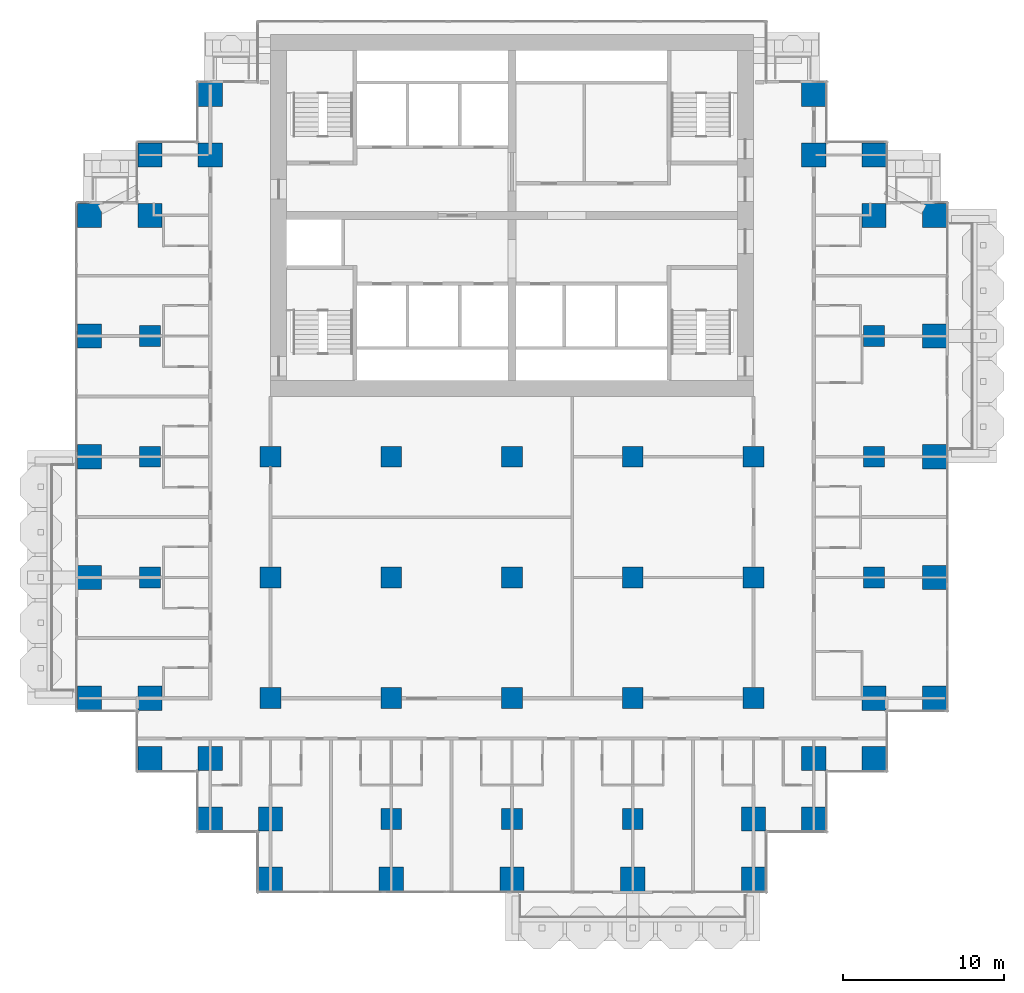
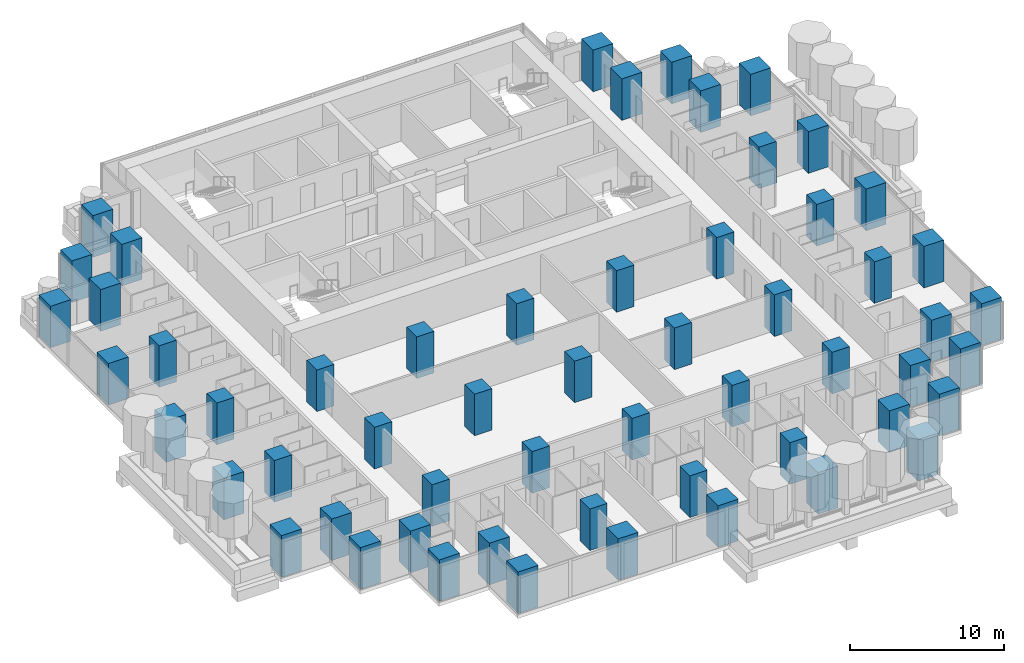
# One storey, part 1 of 20: 57 columns.
"""IFC4 building model written with IfcOpenShell, lengths in metres."""

from ifc_helpers import new_model, si_unit, direction, frame, origin, origin_2d, place, context, subcontext, project, spatial, rectangle, extrude, material, material_profile, profile_set, type_object, element, save


model = new_model("IFC4")

# Units and contexts
model_context = context("Model", 3, precision=1e-05, world=origin(), true_north=direction((0.0, 1.0)))
body_context = subcontext(model_context, "Body", "Model", "MODEL_VIEW")
ifc_project = project(units=[si_unit("LENGTHUNIT", "METRE"), si_unit("AREAUNIT", "SQUARE_METRE"), si_unit("VOLUMEUNIT", "CUBIC_METRE"), si_unit("PLANEANGLEUNIT", "RADIAN"), si_unit("MASSUNIT", "GRAM", prefix="KILO")], contexts=[model_context])

# Site, building, storey
site_placement = place(None, origin())
site = spatial("IfcSite", under=ifc_project, at=site_placement, CompositionType="ELEMENT")
building_placement = place(site_placement, origin())
building = spatial("IfcBuilding", under=site, at=building_placement, Name="Pilkhan Gate Tower", CompositionType="ELEMENT")
storey_placement = place(building_placement, frame((0.0, 0.0, 85.699951171875)))
storey = spatial("IfcBuildingStorey", under=building, at=storey_placement, Name="L20", CompositionType="ELEMENT", Elevation=85.699951171875)

# Columns
ifc_material = material(Name="Concrete C70/85", Category="concrete")
ifc_material_profile_1 = material_profile(ifc_material, rectangle(XDim=1.300048828125, YDim=1.300048828125, at=origin_2d()), Name="RC 1300x1300")
ifc_profile_set_1 = profile_set([ifc_material_profile_1], Name="Concrete C70/85")
column_type_1 = type_object("IfcColumnType", Name="Column C130 RC 1300x1300 C70/85", PredefinedType="COLUMN", material=ifc_profile_set_1)
for number, where, z_axis, x_axis, name in (
    (1, (52.5, 60.0, 0.0), (0.0, 0.0, 1.0), (1.0, 0.0, 0.0), "Column 5/F L20"),
    (2, (52.5, 67.5, 0.0), (0.0, 0.0, 1.0), (1.0, 0.0, 0.0), "Column 5/H L20"),
    (3, (52.5, 75.0, 0.0), (0.0, 0.0, 1.0), (1.0, 0.0, 0.0), "Column 5/K L20"),
    (4, (60.0, 52.5, 0.0), (0.0, 0.0, 1.0), (1.0, 0.0, 0.0), "Column 7/D L20"),
    (5, (60.0, 60.0, 0.0), (0.0, 0.0, 1.0), (1.0, 0.0, 0.0), "Column 7/F L20"),
    (6, (60.0, 67.5, 0.0), (0.0, 0.0, 1.0), (1.0, 0.0, 0.0), "Column 7/H L20"),
    (7, (67.5, 45.0, 0.0), (0.0, 0.0, 1.0), (1.0, 0.0, 0.0), "Column 9/B L20"),
    (8, (67.5, 52.5, 0.0), (0.0, 0.0, 1.0), (1.0, 0.0, 0.0), "Column 9/D L20"),
    (9, (67.5, 60.0, 0.0), (0.0, 0.0, 1.0), (1.0, 0.0, 0.0), "Column 9/F L20"),
    (10, (67.5, 67.5, 0.0), (0.0, 0.0, 1.0), (1.0, 0.0, 0.0), "Column 9/H L20"),
    (11, (75.0, 45.0, 0.0), (0.0, 0.0, 1.0), (1.0, 0.0, 0.0), "Column 11/B L20"),
    (12, (75.0, 52.5, 0.0), (0.0, 0.0, 1.0), (1.0, 0.0, 0.0), "Column 11/D L20"),
    (13, (75.0, 60.0, 0.0), (0.0, 0.0, 1.0), (1.0, 0.0, 0.0), "Column 11/F L20"),
    (14, (75.0, 67.5, 0.0), (0.0, 0.0, 1.0), (1.0, 0.0, 0.0), "Column 11/H L20"),
    (15, (82.5, 45.0, 0.0), (0.0, 0.0, 1.0), (1.0, 0.0, 0.0), "Column 13/B L20"),
    (16, (82.5, 52.5, 0.0), (0.0, 0.0, 1.0), (1.0, 0.0, 0.0), "Column 13/D L20"),
    (17, (82.5, 60.0, 0.0), (0.0, 0.0, 1.0), (1.0, 0.0, 0.0), "Column 13/F L20"),
    (18, (82.5, 67.5, 0.0), (0.0, 0.0, 1.0), (1.0, 0.0, 0.0), "Column 13/H L20"),
    (19, (90.0, 52.5, 0.0), (0.0, 0.0, 1.0), (1.0, 0.0, 0.0), "Column 15/D L20"),
    (20, (90.0, 60.0, 0.0), (0.0, 0.0, 1.0), (1.0, 0.0, 0.0), "Column 15/F L20"),
    (21, (90.0, 67.5, 0.0), (0.0, 0.0, 1.0), (1.0, 0.0, 0.0), "Column 15/H L20"),
    (22, (97.5, 60.0, 0.0), (0.0, 0.0, 1.0), (1.0, 0.0, 0.0), "Column 17/F L20"),
    (23, (97.5, 67.5, 0.0), (0.0, 0.0, 1.0), (1.0, 0.0, 0.0), "Column 17/H L20"),
    (24, (97.5, 75.0, 0.0), (0.0, 0.0, 1.0), (1.0, 0.0, 0.0), "Column 17/K L20"),
):
    element("IfcColumn", number, at=place(storey_placement, frame(where, z_axis=z_axis, x_axis=x_axis)), inside=storey, type_object=column_type_1, Name=name, PredefinedType="COLUMN", context=body_context, shape_type="SweptSolid", body=[
        extrude(rectangle(XDim=1.300048828125, YDim=1.300048828125, at=origin_2d()), origin(), (0.0, 0.0, 1.0), 3.300048828125),
    ])
ifc_material_profile_2 = material_profile(ifc_material, rectangle(XDim=1.5, YDim=1.5, at=origin_2d()), Name="RC 1500x1500")
ifc_profile_set_2 = profile_set([ifc_material_profile_2], Name="Concrete C70/85")
column_type_2 = type_object("IfcColumnType", Name="Column C150 RC 1500x1500 C70/85", PredefinedType="COLUMN", material=ifc_profile_set_2)
for number, where, z_axis, x_axis, name in (
    (25, (48.75, 52.5, 0.0), (0.0, 0.0, 1.0), (1.0, 0.0, 0.0), "Column 4/D L20"),
    (26, (48.75, 60.0, 0.0), (0.0, 0.0, 1.0), (1.0, 0.0, 0.0), "Column 4/F L20"),
    (27, (48.75, 67.5, 0.0), (0.0, 0.0, 1.0), (1.0, 0.0, 0.0), "Column 4/H L20"),
    (28, (48.75, 75.0, 0.0), (0.0, 0.0, 1.0), (1.0, 0.0, 0.0), "Column 4/K L20"),
    (29, (48.75, 82.5, 0.0), (0.0, 0.0, 1.0), (1.0, 0.0, 0.0), "Column 4/M L20"),
    (30, (52.5, 48.75, 0.0), (0.0, 0.0, 1.0), (1.0, 0.0, 0.0), "Column 5/C L20"),
    (31, (52.5, 52.5, 0.0), (0.0, 0.0, 1.0), (1.0, 0.0, 0.0), "Column 5/D L20"),
    (32, (52.5, 82.5, 0.0), (0.0, 0.0, 1.0), (1.0, 0.0, 0.0), "Column 5/M L20"),
    (33, (52.5, 86.25, 0.0), (0.0, 0.0, 1.0), (1.0, 0.0, 0.0), "Column 5/N L20"),
    (34, (56.25, 45.0, 0.0), (0.0, 0.0, 1.0), (1.0, 0.0, 0.0), "Column 6/B L20"),
    (35, (56.25, 48.75, 0.0), (0.0, 0.0, 1.0), (1.0, 0.0, 0.0), "Column 6/C L20"),
    (36, (56.25, 86.25, 0.0), (0.0, 0.0, 1.0), (1.0, 0.0, 0.0), "Column 6/N L20"),
    (37, (56.25, 90.0, 0.0), (0.0, 0.0, 1.0), (1.0, 0.0, 0.0), "Column 6/P L20"),
    (38, (60.0, 41.25, 0.0), (0.0, 0.0, 1.0), (1.0, 0.0, 0.0), "Column 7/A L20"),
    (39, (60.0, 45.0, 0.0), (0.0, 0.0, 1.0), (1.0, 0.0, 0.0), "Column 7/B L20"),
    (40, (67.5, 41.25, 0.0), (0.0, 0.0, 1.0), (1.0, 0.0, 0.0), "Column 9/A L20"),
    (41, (75.0, 41.25, 0.0), (0.0, 0.0, 1.0), (1.0, 0.0, 0.0), "Column 11/A L20"),
    (42, (82.5, 41.25, 0.0), (0.0, 0.0, 1.0), (1.0, 0.0, 0.0), "Column 13/A L20"),
    (43, (90.0, 41.25, 0.0), (0.0, 0.0, 1.0), (1.0, 0.0, 0.0), "Column 15/A L20"),
    (44, (90.0, 45.0, 0.0), (0.0, 0.0, 1.0), (1.0, 0.0, 0.0), "Column 15/B L20"),
    (45, (93.75, 45.0, 0.0), (0.0, 0.0, 1.0), (1.0, 0.0, 0.0), "Column 16/B L20"),
    (46, (93.75, 48.75, 0.0), (0.0, 0.0, 1.0), (1.0, 0.0, 0.0), "Column 16/C L20"),
    (47, (93.75, 86.25, 0.0), (0.0, 0.0, 1.0), (1.0, 0.0, 0.0), "Column 16/N L20"),
    (48, (93.75, 90.0, 0.0), (0.0, 0.0, 1.0), (1.0, 0.0, 0.0), "Column 16/P L20"),
    (49, (97.5, 48.75, 0.0), (0.0, 0.0, 1.0), (1.0, 0.0, 0.0), "Column 17/C L20"),
    (50, (97.5, 52.5, 0.0), (0.0, 0.0, 1.0), (1.0, 0.0, 0.0), "Column 17/D L20"),
    (51, (97.5, 82.5, 0.0), (0.0, 0.0, 1.0), (1.0, 0.0, 0.0), "Column 17/M L20"),
    (52, (97.5, 86.25, 0.0), (0.0, 0.0, 1.0), (1.0, 0.0, 0.0), "Column 17/N L20"),
    (53, (101.25, 52.5, 0.0), (0.0, 0.0, 1.0), (1.0, 0.0, 0.0), "Column 18/D L20"),
    (54, (101.25, 60.0, 0.0), (0.0, 0.0, 1.0), (1.0, 0.0, 0.0), "Column 18/F L20"),
    (55, (101.25, 67.5, 0.0), (0.0, 0.0, 1.0), (1.0, 0.0, 0.0), "Column 18/H L20"),
    (56, (101.25, 75.0, 0.0), (0.0, 0.0, 1.0), (1.0, 0.0, 0.0), "Column 18/K L20"),
    (57, (101.25, 82.5, 0.0), (0.0, 0.0, 1.0), (1.0, 0.0, 0.0), "Column 18/M L20"),
):
    element("IfcColumn", number, at=place(storey_placement, frame(where, z_axis=z_axis, x_axis=x_axis)), inside=storey, type_object=column_type_2, Name=name, PredefinedType="COLUMN", context=body_context, shape_type="SweptSolid", body=[
        extrude(rectangle(XDim=1.5, YDim=1.5, at=origin_2d()), origin(), (0.0, 0.0, 1.0), 3.300048828125),
    ])

save(model, "model.ifc")
